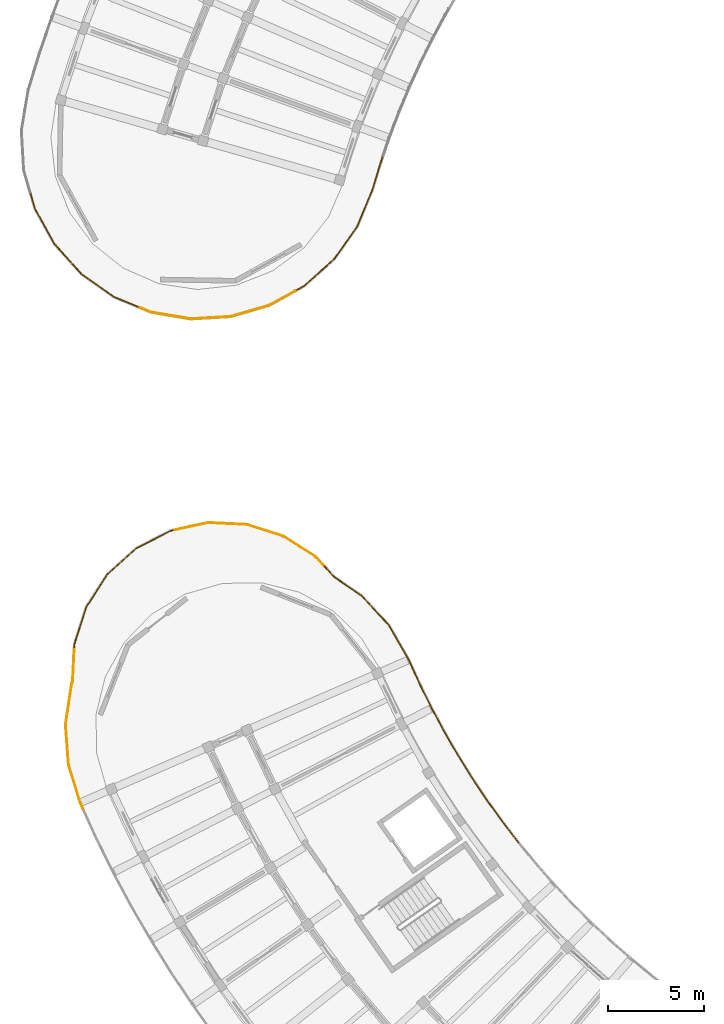
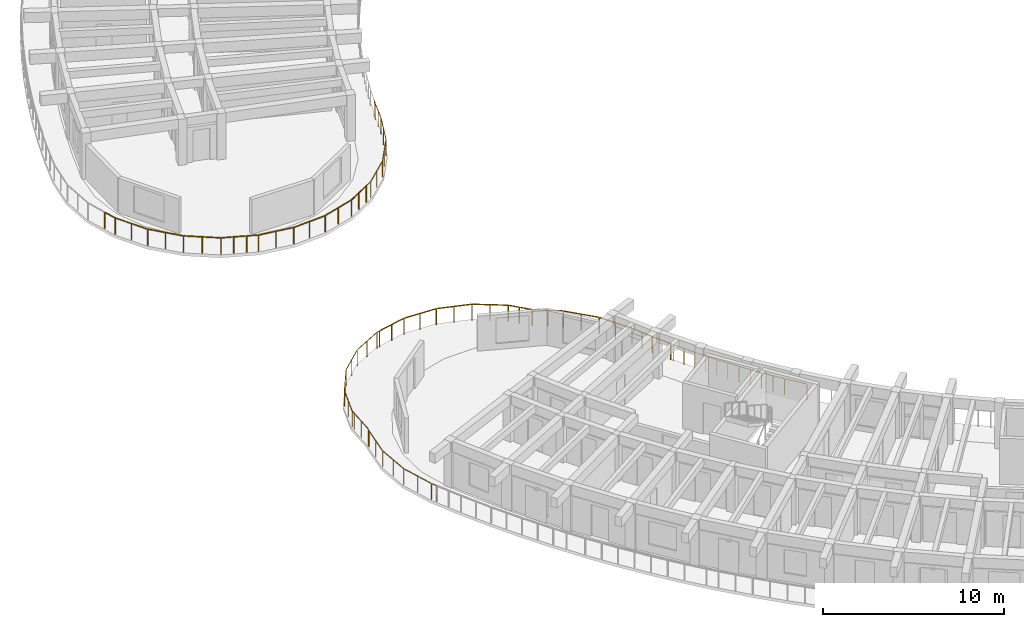
# One storey, part 45 of 56: 9 railings.
"""IFC4 building model written with IfcOpenShell, lengths in metres."""

from ifc_helpers import new_model, si_unit, direction, frame, origin, origin_2d, place, context, subcontext, project, spatial, circle, extrude, material, type_object, element, save


model = new_model("IFC4")

# Units and contexts
model_context = context("Model", 3, precision=1e-05, world=origin(), true_north=direction((0.0, 1.0)))
body_context = subcontext(model_context, "Body", "Model", "MODEL_VIEW")
ifc_project = project(units=[si_unit("LENGTHUNIT", "METRE"), si_unit("AREAUNIT", "SQUARE_METRE"), si_unit("VOLUMEUNIT", "CUBIC_METRE"), si_unit("PLANEANGLEUNIT", "RADIAN"), si_unit("MASSUNIT", "GRAM", prefix="KILO")], contexts=[model_context])

# Site, building, storey
site_placement = place(None, origin())
site = spatial("IfcSite", under=ifc_project, at=site_placement, CompositionType="ELEMENT")
building_placement = place(site_placement, origin())
building = spatial("IfcBuilding", under=site, at=building_placement, Name="Tanwirah Colonnade Gardens", CompositionType="ELEMENT")
storey_placement = place(building_placement, frame((0.0, 0.0, 29.0)))
storey = spatial("IfcBuildingStorey", under=building, at=storey_placement, Name="L08", CompositionType="ELEMENT", Elevation=29.0)

# Railings
ifc_material = material(Name="Precast concrete C40/50", Category="concrete")
railing_type_1 = type_object("IfcRailingType", Name="BAL-EXT110", PredefinedType="BALUSTRADE", material=ifc_material)
railing_1_placement = place(storey_placement, frame((21.987060546875, 51.787841796875, 0.0)))
element("IfcRailing", 1, at=railing_1_placement, inside=storey, type_object=railing_type_1, Name="Block C L08 Balcony Ribbon Balustrade 1", PredefinedType="BALUSTRADE", context=body_context, shape_type="SweptSolid", body=[
    extrude(circle(Radius=0.02392578125, at=origin_2d()), frame((0.02587890625, -0.017578125, 1.076171875), z_axis=(0.825478575894, -0.564433451117, 0.0), x_axis=(0.564433451117, 0.825478575894, 0.0)), (0.0, 0.0, 1.0), 1.64990234375),
    extrude(circle(Radius=0.02392578125, at=origin_2d()), frame((1.434814453125, -0.989501953125, 1.076171875), z_axis=(0.679261042241, -0.733896747843, 0.0), x_axis=(0.733896747843, 0.679261042241, 0.0)), (0.0, 0.0, 1.0), 2.024169921875),
    extrude(circle(Radius=0.02392578125, at=origin_2d()), frame((2.8466796875, -2.525146484375, 1.076171875), z_axis=(0.499001626878, -0.866601047988, 0.0), x_axis=(0.866601047988, 0.499001626878, 0.0)), (0.0, 0.0, 1.0), 2.029541015625),
    extrude(circle(Radius=0.02392578125, at=origin_2d()), frame((3.887939453125, -4.339599609375, 1.076171875), z_axis=(0.413604450522, -0.9104566758, 0.0), x_axis=(0.9104566758, 0.413604450522, 0.0)), (0.0, 0.0, 1.0), 1.32763671875),
    extrude(circle(Radius=0.02392578125, at=origin_2d()), frame((4.465087890625, -5.607177734375, 1.076171875), z_axis=(0.443192840087, -0.896426297303, 0.0), x_axis=(0.896426297303, 0.443192840087, 0.0)), (0.0, 0.0, 1.0), 1.1533203125),
    extrude(circle(Radius=0.02099609375, at=origin_2d()), origin(), (0.0, 0.0, 1.0), 1.049072265625),
    extrude(circle(Radius=0.02099609375, at=origin_2d()), frame((0.706787109375, -0.4833984375, 0.0)), (0.0, 0.0, 1.0), 1.049072265625),
    extrude(circle(Radius=0.02099609375, at=origin_2d()), frame((1.41357421875, -0.966552734375, 0.0)), (0.0, 0.0, 1.0), 1.049072265625),
    extrude(circle(Radius=0.02099609375, at=origin_2d()), frame((2.122314453125, -1.732421875, 0.0)), (0.0, 0.0, 1.0), 1.049072265625),
    extrude(circle(Radius=0.02099609375, at=origin_2d()), frame((2.8310546875, -2.498046875, 0.0)), (0.0, 0.0, 1.0), 1.049072265625),
    extrude(circle(Radius=0.02099609375, at=origin_2d()), frame((3.35302734375, -3.404541015625, 0.0)), (0.0, 0.0, 1.0), 1.049072265625),
    extrude(circle(Radius=0.02099609375, at=origin_2d()), frame((3.875, -4.31103515625, 0.0)), (0.0, 0.0, 1.0), 1.049072265625),
    extrude(circle(Radius=0.02099609375, at=origin_2d()), frame((4.16259765625, -4.94384765625, 0.0)), (0.0, 0.0, 1.0), 1.049072265625),
    extrude(circle(Radius=0.02099609375, at=origin_2d()), frame((4.449951171875, -5.57666015625, 0.0)), (0.0, 0.0, 1.0), 1.049072265625),
    extrude(circle(Radius=0.02099609375, at=origin_2d()), frame((4.989990234375, -6.6689453125, 0.0)), (0.0, 0.0, 1.0), 1.049072265625),
])
railing_2_placement = place(storey_placement, frame((26.97705078125, 45.118896484375, 0.0)))
element("IfcRailing", 2, at=railing_2_placement, inside=storey, type_object=railing_type_1, Name="Block C L08 Balcony Ribbon Balustrade 2", PredefinedType="BALUSTRADE", context=body_context, shape_type="SweptSolid", body=[
    extrude(circle(Radius=0.02392578125, at=origin_2d()), frame((0.013916015625, -0.028076171875, 1.076171875), z_axis=(0.443922260126, -0.896065302846, 0.0), x_axis=(0.896065302846, 0.443922260126, 0.0)), (0.0, 0.0, 1.0), 0.11572265625),
    extrude(circle(Radius=0.02392578125, at=origin_2d()), frame((0.094970703125, -0.189697265625, 1.076171875), z_axis=(0.472323466806, -0.881425290484, 0.0), x_axis=(0.881425290484, 0.472323466806, 0.0)), (0.0, 0.0, 1.0), 1.33154296875),
    extrude(circle(Radius=0.02392578125, at=origin_2d()), frame((0.755615234375, -1.420166015625, 1.076171875), z_axis=(0.501015561301, -0.865438274711, 0.0), x_axis=(0.865438274711, 0.501015561301, 0.0)), (0.0, 0.0, 1.0), 1.33154296875),
    extrude(circle(Radius=0.02392578125, at=origin_2d()), frame((1.456298828125, -2.62841796875, 1.076171875), z_axis=(0.529022666758, -0.848607693847, 0.0), x_axis=(0.848607693847, 0.529022666758, 0.0)), (0.0, 0.0, 1.0), 1.33154296875),
    extrude(circle(Radius=0.02392578125, at=origin_2d()), frame((2.19580078125, -3.81298828125, 1.076171875), z_axis=(0.55655786635, -0.830808847692, 0.0), x_axis=(0.830808847692, 0.55655786635, 0.0)), (0.0, 0.0, 1.0), 1.33154296875),
    extrude(circle(Radius=0.02392578125, at=origin_2d()), frame((2.97412109375, -4.972900390625, 1.076171875), z_axis=(0.58342309678, -0.812168387802, 0.0), x_axis=(0.812168387802, 0.58342309678, 0.0)), (0.0, 0.0, 1.0), 1.331298828125),
    extrude(circle(Radius=0.02392578125, at=origin_2d()), frame((3.78955078125, -6.1064453125, 1.076171875), z_axis=(0.609693095997, -0.79263757714, 0.0), x_axis=(0.79263757714, 0.609693095997, 0.0)), (0.0, 0.0, 1.0), 1.2734375),
    extrude(circle(Radius=0.02099609375, at=origin_2d()), origin(), (0.0, 0.0, 1.0), 1.049072265625),
    extrude(circle(Radius=0.02099609375, at=origin_2d()), frame((0.0791015625, -0.15966796875, 0.0)), (0.0, 0.0, 1.0), 1.049072265625),
    extrude(circle(Radius=0.02099609375, at=origin_2d()), frame((0.40966796875, -0.7763671875, 0.0)), (0.0, 0.0, 1.0), 1.049072265625),
    extrude(circle(Radius=0.02099609375, at=origin_2d()), frame((0.73876953125, -1.390869140625, 0.0)), (0.0, 0.0, 1.0), 1.049072265625),
    extrude(circle(Radius=0.02099609375, at=origin_2d()), frame((1.08935546875, -1.996337890625, 0.0)), (0.0, 0.0, 1.0), 1.049072265625),
    extrude(circle(Radius=0.02099609375, at=origin_2d()), frame((1.4384765625, -2.599609375, 0.0)), (0.0, 0.0, 1.0), 1.049072265625),
    extrude(circle(Radius=0.02099609375, at=origin_2d()), frame((1.80859375, -3.193359375, 0.0)), (0.0, 0.0, 1.0), 1.049072265625),
    extrude(circle(Radius=0.02099609375, at=origin_2d()), frame((2.17724609375, -3.784912109375, 0.0)), (0.0, 0.0, 1.0), 1.049072265625),
    extrude(circle(Radius=0.02099609375, at=origin_2d()), frame((2.56640625, -4.3662109375, 0.0)), (0.0, 0.0, 1.0), 1.049072265625),
    extrude(circle(Radius=0.02099609375, at=origin_2d()), frame((2.954345703125, -4.9453125, 0.0)), (0.0, 0.0, 1.0), 1.049072265625),
    extrude(circle(Radius=0.02099609375, at=origin_2d()), frame((3.3623046875, -5.513671875, 0.0)), (0.0, 0.0, 1.0), 1.049072265625),
    extrude(circle(Radius=0.02099609375, at=origin_2d()), frame((3.76904296875, -6.07958984375, 0.0)), (0.0, 0.0, 1.0), 1.049072265625),
    extrude(circle(Radius=0.02099609375, at=origin_2d()), frame((4.5849609375, -7.140625, 0.0)), (0.0, 0.0, 1.0), 1.049072265625),
])
railing_3_placement = place(storey_placement, frame((8.91259765625, 39.725830078125, 0.0)))
element("IfcRailing", 3, at=railing_3_placement, inside=storey, type_object=railing_type_1, Name="Block C L08 Balcony Ribbon Balustrade 15", PredefinedType="BALUSTRADE", context=body_context, shape_type="SweptSolid", body=[
    extrude(circle(Radius=0.02392578125, at=origin_2d()), frame((-0.012939453125, 0.028564453125, 1.076171875), z_axis=(-0.413488240554, 0.910509458997, 0.0), x_axis=(-0.910509458997, -0.413488240554, 0.0)), (0.0, 0.0, 1.0), 0.2880859375),
    extrude(circle(Radius=0.02392578125, at=origin_2d()), frame((-0.154296875, 0.34912109375, 1.076171875), z_axis=(-0.293544269922, 0.955945480452, 0.0), x_axis=(-0.955945480452, -0.293544269922, 0.0)), (0.0, 0.0, 1.0), 2.0283203125),
    extrude(circle(Radius=0.02392578125, at=origin_2d()), frame((-0.760986328125, 2.349365234375, 1.076171875), z_axis=(-0.073591558484, 0.997288465049, 0.0), x_axis=(-0.997288465049, -0.073591558484, 0.0)), (0.0, 0.0, 1.0), 2.024169921875),
    extrude(circle(Radius=0.02392578125, at=origin_2d()), frame((-0.90771484375, 4.43017578125, 1.076171875), z_axis=(0.150325173469, 0.988636607769, 0.0), x_axis=(-0.988636607769, 0.150325173469, 0.0)), (0.0, 0.0, 1.0), 2.0244140625),
    extrude(circle(Radius=0.02392578125, at=origin_2d()), frame((-0.587158203125, 6.491455078125, 1.076171875), z_axis=(0.366668073406, 0.930351828044, 0.0), x_axis=(-0.930351828044, 0.366668073406, 0.0)), (0.0, 0.0, 1.0), 0.0712890625),
    extrude(circle(Radius=0.02392578125, at=origin_2d()), frame((-0.542724609375, 6.6435546875, 1.076171875), z_axis=(0.047982080016, 0.998848196673, 0.0), x_axis=(-0.998848196673, 0.047982080016, 0.0)), (0.0, 0.0, 1.0), 1.662353515625),
    extrude(circle(Radius=0.02099609375, at=origin_2d()), origin(), (0.0, 0.0, 1.0), 1.049072265625),
    extrude(circle(Radius=0.02099609375, at=origin_2d()), frame((-0.14501953125, 0.3193359375, 0.0)), (0.0, 0.0, 1.0), 1.049072265625),
    extrude(circle(Radius=0.02099609375, at=origin_2d()), frame((-0.451904296875, 1.31884765625, 0.0)), (0.0, 0.0, 1.0), 1.049072265625),
    extrude(circle(Radius=0.02099609375, at=origin_2d()), frame((-0.7587890625, 2.318115234375, 0.0)), (0.0, 0.0, 1.0), 1.049072265625),
    extrude(circle(Radius=0.02099609375, at=origin_2d()), frame((-0.83544921875, 3.358642578125, 0.0)), (0.0, 0.0, 1.0), 1.049072265625),
    extrude(circle(Radius=0.02099609375, at=origin_2d()), frame((-0.912353515625, 4.399169921875, 0.0)), (0.0, 0.0, 1.0), 1.049072265625),
    extrude(circle(Radius=0.02099609375, at=origin_2d()), frame((-0.75537109375, 5.4306640625, 0.0)), (0.0, 0.0, 1.0), 1.049072265625),
    extrude(circle(Radius=0.02099609375, at=origin_2d()), frame((-0.5986328125, 6.46240234375, 0.0)), (0.0, 0.0, 1.0), 1.049072265625),
    extrude(circle(Radius=0.02099609375, at=origin_2d()), frame((-0.549560546875, 6.5869140625, 0.0)), (0.0, 0.0, 1.0), 1.049072265625),
    extrude(circle(Radius=0.02099609375, at=origin_2d()), frame((-0.5029296875, 7.4736328125, 0.0)), (0.0, 0.0, 1.0), 1.049072265625),
    extrude(circle(Radius=0.02099609375, at=origin_2d()), frame((-0.46142578125, 8.335205078125, 0.0)), (0.0, 0.0, 1.0), 1.049072265625),
])
railing_4_placement = place(storey_placement, frame((8.451171875, 48.06103515625, 0.0)))
element("IfcRailing", 4, at=railing_4_placement, inside=storey, type_object=railing_type_1, Name="Block C L08 Balcony Ribbon Balustrade 16", PredefinedType="BALUSTRADE", context=body_context, shape_type="SweptSolid", body=[
    extrude(circle(Radius=0.02392578125, at=origin_2d()), frame((0.00146484375, 0.03125, 1.076171875), z_axis=(0.047565149415, 0.998868137724, 0.0), x_axis=(-0.998868137724, 0.047565149415, 0.0)), (0.0, 0.0, 1.0), 0.1787109375),
    extrude(circle(Radius=0.02392578125, at=origin_2d()), frame((0.02099609375, 0.270751953125, 1.076171875), z_axis=(0.30493837165, 0.952372085634, 0.0), x_axis=(-0.952372085634, 0.30493837165, 0.0)), (0.0, 0.0, 1.0), 1.95263671875),
    extrude(circle(Radius=0.02392578125, at=origin_2d()), frame((0.642822265625, 2.1865234375, 1.076171875), z_axis=(0.540953522792, 0.841052487172, 0.0), x_axis=(-0.841052487172, 0.540953522792, 0.0)), (0.0, 0.0, 1.0), 1.95263671875),
    extrude(circle(Radius=0.02392578125, at=origin_2d()), frame((1.7392578125, 3.8759765625, 1.076171875), z_axis=(0.740214102403, 0.67237123868, 0.0), x_axis=(-0.67237123868, 0.740214102403, 0.0)), (0.0, 0.0, 1.0), 1.95263671875),
    extrude(circle(Radius=0.02392578125, at=origin_2d()), frame((3.235595703125, 5.224365234375, 1.076171875), z_axis=(0.889032840615, 0.457843432091, 0.0), x_axis=(-0.457843432091, 0.889032840615, 0.0)), (0.0, 0.0, 1.0), 1.95263671875),
    extrude(circle(Radius=0.02392578125, at=origin_2d()), frame((5.02978515625, 6.13916015625, 1.076171875), z_axis=(0.977276358397, 0.211969147092, 0.0), x_axis=(-0.211969147092, 0.977276358397, 0.0)), (0.0, 0.0, 1.0), 0.135498046875),
    extrude(circle(Radius=0.02099609375, at=origin_2d()), origin(), (0.0, 0.0, 1.0), 1.049072265625),
    extrude(circle(Radius=0.02099609375, at=origin_2d()), frame((0.011474609375, 0.240966796875, 0.0)), (0.0, 0.0, 1.0), 1.049072265625),
    extrude(circle(Radius=0.02099609375, at=origin_2d()), frame((0.31884765625, 1.20068359375, 0.0)), (0.0, 0.0, 1.0), 1.049072265625),
    extrude(circle(Radius=0.02099609375, at=origin_2d()), frame((0.6259765625, 2.16015625, 0.0)), (0.0, 0.0, 1.0), 1.049072265625),
    extrude(circle(Radius=0.02099609375, at=origin_2d()), frame((1.1708984375, 3.007568359375, 0.0)), (0.0, 0.0, 1.0), 1.049072265625),
    extrude(circle(Radius=0.02099609375, at=origin_2d()), frame((1.716064453125, 3.85498046875, 0.0)), (0.0, 0.0, 1.0), 1.049072265625),
    extrude(circle(Radius=0.02099609375, at=origin_2d()), frame((2.4619140625, 4.532470703125, 0.0)), (0.0, 0.0, 1.0), 1.049072265625),
    extrude(circle(Radius=0.02099609375, at=origin_2d()), frame((3.207763671875, 5.2099609375, 0.0)), (0.0, 0.0, 1.0), 1.049072265625),
    extrude(circle(Radius=0.02099609375, at=origin_2d()), frame((4.103515625, 5.67138671875, 0.0)), (0.0, 0.0, 1.0), 1.049072265625),
    extrude(circle(Radius=0.02099609375, at=origin_2d()), frame((4.999267578125, 6.132568359375, 0.0)), (0.0, 0.0, 1.0), 1.049072265625),
    extrude(circle(Radius=0.02099609375, at=origin_2d()), frame((5.19287109375, 6.174560546875, 0.0)), (0.0, 0.0, 1.0), 1.049072265625),
])
railing_5_placement = place(storey_placement, frame((13.64404296875, 54.235595703125, 0.0)))
element("IfcRailing", 5, at=railing_5_placement, inside=storey, type_object=railing_type_1, Name="Block C L08 Balcony Ribbon Balustrade 17", PredefinedType="BALUSTRADE", context=body_context, shape_type="SweptSolid", body=[
    extrude(circle(Radius=0.02392578125, at=origin_2d()), frame((0.030517578125, 0.006591796875, 1.076171875), z_axis=(0.977234535777, 0.212161877078, 0.0), x_axis=(-0.212161877078, 0.977234535777, 0.0)), (0.0, 0.0, 1.0), 1.75439453125),
    extrude(circle(Radius=0.02392578125, at=origin_2d()), frame((1.806884765625, 0.384033203125, 1.076171875), z_axis=(0.99884831516, -0.047979613392, 0.0), x_axis=(0.047979613392, 0.99884831516, 0.0)), (0.0, 0.0, 1.0), 1.952392578125),
    extrude(circle(Radius=0.02392578125, at=origin_2d()), frame((3.818115234375, 0.279296875, 1.076171875), z_axis=(0.952407264787, -0.304828479609, 0.0), x_axis=(0.304828479609, 0.952407264787, 0.0)), (0.0, 0.0, 1.0), 1.95263671875),
    extrude(circle(Radius=0.02392578125, at=origin_2d()), frame((5.73388671875, -0.34228515625, 1.076171875), z_axis=(0.841052487172, -0.540953522792, 0.0), x_axis=(0.540953522792, 0.841052487172, 0.0)), (0.0, 0.0, 1.0), 1.95263671875),
    extrude(circle(Radius=0.02392578125, at=origin_2d()), frame((7.42333984375, -1.438720703125, 1.076171875), z_axis=(0.672215371453, -0.740355653981, 0.0), x_axis=(0.740355653981, 0.672215371453, 0.0)), (0.0, 0.0, 1.0), 0.5751953125),
    extrude(circle(Radius=0.02099609375, at=origin_2d()), origin(), (0.0, 0.0, 1.0), 1.049072265625),
    extrude(circle(Radius=0.02099609375, at=origin_2d()), frame((0.8876953125, 0.19287109375, 0.0)), (0.0, 0.0, 1.0), 1.049072265625),
    extrude(circle(Radius=0.02099609375, at=origin_2d()), frame((1.775634765625, 0.385498046875, 0.0)), (0.0, 0.0, 1.0), 1.049072265625),
    extrude(circle(Radius=0.02099609375, at=origin_2d()), frame((2.781982421875, 0.337158203125, 0.0)), (0.0, 0.0, 1.0), 1.049072265625),
    extrude(circle(Radius=0.02099609375, at=origin_2d()), frame((3.788330078125, 0.288818359375, 0.0)), (0.0, 0.0, 1.0), 1.049072265625),
    extrude(circle(Radius=0.02099609375, at=origin_2d()), frame((4.748046875, -0.018310546875, 0.0)), (0.0, 0.0, 1.0), 1.049072265625),
    extrude(circle(Radius=0.02099609375, at=origin_2d()), frame((5.70751953125, -0.325439453125, 0.0)), (0.0, 0.0, 1.0), 1.049072265625),
    extrude(circle(Radius=0.02099609375, at=origin_2d()), frame((6.554931640625, -0.87060546875, 0.0)), (0.0, 0.0, 1.0), 1.049072265625),
    extrude(circle(Radius=0.02099609375, at=origin_2d()), frame((7.40234375, -1.41552734375, 0.0)), (0.0, 0.0, 1.0), 1.049072265625),
    extrude(circle(Radius=0.02099609375, at=origin_2d()), frame((7.8310546875, -1.8876953125, 0.0)), (0.0, 0.0, 1.0), 1.049072265625),
])
railing_6_placement = place(storey_placement, frame((21.47509765625, 52.347900390625, 0.0)))
element("IfcRailing", 6, at=railing_6_placement, inside=storey, type_object=railing_type_1, Name="Block C L08 Balcony Ribbon Balustrade 18", PredefinedType="BALUSTRADE", context=body_context, shape_type="SweptSolid", body=[
    extrude(circle(Radius=0.02392578125, at=origin_2d()), frame((0.02099609375, -0.023193359375, 1.076171875), z_axis=(0.67249219668, -0.74010421253, 0.0), x_axis=(0.74010421253, 0.67249219668, 0.0)), (0.0, 0.0, 1.0), 0.677734375),
    extrude(circle(Radius=0.02099609375, at=origin_2d()), origin(), (0.0, 0.0, 1.0), 1.049072265625),
    extrude(circle(Radius=0.02099609375, at=origin_2d()), frame((0.497802734375, -0.5478515625, 0.0)), (0.0, 0.0, 1.0), 1.049072265625),
])
railing_type_2 = type_object("IfcRailingType", Name="BAL-EXT112", PredefinedType="BALUSTRADE", material=ifc_material)
railing_7_placement = place(storey_placement, frame((24.490234375, 73.623779296875, 0.0)))
element("IfcRailing", 7, at=railing_7_placement, inside=storey, type_object=railing_type_2, Name="Block A L08 Balcony Ribbon Balustrade 7", PredefinedType="BALUSTRADE", context=body_context, shape_type="SweptSolid", body=[
    extrude(circle(Radius=0.02392578125, at=origin_2d()), frame((-0.010009765625, -0.029541015625, 1.09619140625), z_axis=(-0.322432998428, -0.946592288963, 0.0), x_axis=(0.946592288963, -0.322432998428, 0.0)), (0.0, 0.0, 1.0), 0.267578125),
    extrude(circle(Radius=0.02392578125, at=origin_2d()), frame((-0.1162109375, -0.3447265625, 1.09619140625), z_axis=(-0.29148764702, -0.956574592823, 0.0), x_axis=(0.956574592823, -0.29148764702, 0.0)), (0.0, 0.0, 1.0), 1.337890625),
    extrude(circle(Radius=0.02392578125, at=origin_2d()), frame((-0.52734375, -1.683349609375, 1.09619140625), z_axis=(-0.381489237895, -0.92437328032, 0.0), x_axis=(0.92437328032, -0.381489237895, 0.0)), (0.0, 0.0, 1.0), 2.029541015625),
    extrude(circle(Radius=0.02392578125, at=origin_2d()), frame((-1.33154296875, -3.614013671875, 1.09619140625), z_axis=(-0.577647272924, -0.816286486525, 0.0), x_axis=(0.816286486525, -0.577647272924, 0.0)), (0.0, 0.0, 1.0), 2.0244140625),
    extrude(circle(Radius=0.02392578125, at=origin_2d()), frame((-2.542236328125, -5.312744140625, 1.09619140625), z_axis=(-0.744822012119, -0.667263194146, 0.0), x_axis=(0.667263194146, -0.744822012119, 0.0)), (0.0, 0.0, 1.0), 2.0244140625),
    extrude(circle(Radius=0.02392578125, at=origin_2d()), frame((-4.100830078125, -6.69970703125, 1.09619140625), z_axis=(-0.874616555828, -0.48481530532, 0.0), x_axis=(0.48481530532, -0.874616555828, 0.0)), (0.0, 0.0, 1.0), 0.4384765625),
    extrude(circle(Radius=0.02099609375, at=origin_2d()), origin(), (0.0, 0.0, 1.0), 1.069091796875),
    extrude(circle(Radius=0.02099609375, at=origin_2d()), frame((-0.1064453125, -0.3125, 0.0)), (0.0, 0.0, 1.0), 1.069091796875),
    extrude(circle(Radius=0.02099609375, at=origin_2d()), frame((-0.311279296875, -0.98486328125, 0.0)), (0.0, 0.0, 1.0), 1.069091796875),
    extrude(circle(Radius=0.02099609375, at=origin_2d()), frame((-0.515380859375, -1.654541015625, 0.0)), (0.0, 0.0, 1.0), 1.069091796875),
    extrude(circle(Radius=0.02099609375, at=origin_2d()), frame((-0.91455078125, -2.62158203125, 0.0)), (0.0, 0.0, 1.0), 1.069091796875),
    extrude(circle(Radius=0.02099609375, at=origin_2d()), frame((-1.3134765625, -3.58837890625, 0.0)), (0.0, 0.0, 1.0), 1.069091796875),
    extrude(circle(Radius=0.02099609375, at=origin_2d()), frame((-1.916259765625, -4.440185546875, 0.0)), (0.0, 0.0, 1.0), 1.069091796875),
    extrude(circle(Radius=0.02099609375, at=origin_2d()), frame((-2.51904296875, -5.2919921875, 0.0)), (0.0, 0.0, 1.0), 1.069091796875),
    extrude(circle(Radius=0.02099609375, at=origin_2d()), frame((-3.29638671875, -5.98828125, 0.0)), (0.0, 0.0, 1.0), 1.069091796875),
    extrude(circle(Radius=0.02099609375, at=origin_2d()), frame((-4.073486328125, -6.6845703125, 0.0)), (0.0, 0.0, 1.0), 1.069091796875),
    extrude(circle(Radius=0.02099609375, at=origin_2d()), frame((-4.51171875, -6.927490234375, 0.0)), (0.0, 0.0, 1.0), 1.069091796875),
])
railing_8_placement = place(storey_placement, frame((19.978515625, 66.6962890625, 0.0)))
element("IfcRailing", 8, at=railing_8_placement, inside=storey, type_object=railing_type_2, Name="Block A L08 Balcony Ribbon Balustrade 8", PredefinedType="BALUSTRADE", context=body_context, shape_type="SweptSolid", body=[
    extrude(circle(Radius=0.02392578125, at=origin_2d()), frame((-0.02734375, -0.01513671875, 1.09619140625), z_axis=(-0.874621647365, -0.48480611997, 0.0), x_axis=(0.48480611997, -0.874621647365, 0.0)), (0.0, 0.0, 1.0), 1.523193359375),
    extrude(circle(Radius=0.02392578125, at=origin_2d()), frame((-1.4169921875, -0.777587890625, 1.09619140625), z_axis=(-0.960560153031, -0.278072279108, 0.0), x_axis=(0.278072279108, -0.960560153031, 0.0)), (0.0, 0.0, 1.0), 2.0244140625),
    extrude(circle(Radius=0.02392578125, at=origin_2d()), frame((-3.4228515625, -1.350830078125, 1.09619140625), z_axis=(-0.998362374442, -0.057206374631, 0.0), x_axis=(0.057206374631, -0.998362374442, 0.0)), (0.0, 0.0, 1.0), 2.0244140625),
    extrude(circle(Radius=0.02392578125, at=origin_2d()), frame((-5.505859375, -1.46337890625, 1.09619140625), z_axis=(-0.986085511051, 0.166238879013, 0.0), x_axis=(-0.166238879013, -0.986085511051, 0.0)), (0.0, 0.0, 1.0), 2.0244140625),
    extrude(circle(Radius=0.02392578125, at=origin_2d()), frame((-7.561767578125, -1.109619140625, 1.09619140625), z_axis=(-0.924376024919, 0.381482587487, 0.0), x_axis=(-0.381482587487, -0.924376024919, 0.0)), (0.0, 0.0, 1.0), 0.5908203125),
    extrude(circle(Radius=0.02099609375, at=origin_2d()), origin(), (0.0, 0.0, 1.0), 1.069091796875),
    extrude(circle(Radius=0.02099609375, at=origin_2d()), frame((-0.693359375, -0.38427734375, 0.0)), (0.0, 0.0, 1.0), 1.069091796875),
    extrude(circle(Radius=0.02099609375, at=origin_2d()), frame((-1.386962890625, -0.768798828125, 0.0)), (0.0, 0.0, 1.0), 1.069091796875),
    extrude(circle(Radius=0.02099609375, at=origin_2d()), frame((-2.38916015625, -1.05908203125, 0.0)), (0.0, 0.0, 1.0), 1.069091796875),
    extrude(circle(Radius=0.02099609375, at=origin_2d()), frame((-3.3916015625, -1.34912109375, 0.0)), (0.0, 0.0, 1.0), 1.069091796875),
    extrude(circle(Radius=0.02099609375, at=origin_2d()), frame((-4.433349609375, -1.40869140625, 0.0)), (0.0, 0.0, 1.0), 1.069091796875),
    extrude(circle(Radius=0.02099609375, at=origin_2d()), frame((-5.47509765625, -1.468505859375, 0.0)), (0.0, 0.0, 1.0), 1.069091796875),
    extrude(circle(Radius=0.02099609375, at=origin_2d()), frame((-6.50390625, -1.294921875, 0.0)), (0.0, 0.0, 1.0), 1.069091796875),
    extrude(circle(Radius=0.02099609375, at=origin_2d()), frame((-7.532958984375, -1.12158203125, 0.0)), (0.0, 0.0, 1.0), 1.069091796875),
    extrude(circle(Radius=0.02099609375, at=origin_2d()), frame((-8.136962890625, -0.872314453125, 0.0)), (0.0, 0.0, 1.0), 1.069091796875),
])
railing_9_placement = place(storey_placement, frame((11.841552734375, 65.823974609375, 0.0)))
element("IfcRailing", 9, at=railing_9_placement, inside=storey, type_object=railing_type_2, Name="Block A L08 Balcony Ribbon Balustrade 9", PredefinedType="BALUSTRADE", context=body_context, shape_type="SweptSolid", body=[
    extrude(circle(Radius=0.02392578125, at=origin_2d()), frame((-0.02880859375, 0.011962890625, 1.09619140625), z_axis=(-0.924356771704, 0.381529236893, 0.0), x_axis=(-0.381529236893, -0.924356771704, 0.0)), (0.0, 0.0, 1.0), 1.370849609375),
    extrude(circle(Radius=0.02392578125, at=origin_2d()), frame((-1.3505859375, 0.56494140625, 1.09619140625), z_axis=(-0.816286486525, 0.577647272924, 0.0), x_axis=(-0.577647272924, -0.816286486525, 0.0)), (0.0, 0.0, 1.0), 2.0244140625),
    extrude(circle(Radius=0.02392578125, at=origin_2d()), frame((-3.04931640625, 1.775634765625, 1.09619140625), z_axis=(-0.667263194146, 0.744822012119, 0.0), x_axis=(-0.744822012119, -0.667263194146, 0.0)), (0.0, 0.0, 1.0), 2.0244140625),
    extrude(circle(Radius=0.02392578125, at=origin_2d()), frame((-4.436279296875, 3.334228515625, 1.09619140625), z_axis=(-0.484808325403, 0.874620424882, 0.0), x_axis=(-0.874620424882, -0.484808325403, 0.0)), (0.0, 0.0, 1.0), 2.0244140625),
    extrude(circle(Radius=0.02392578125, at=origin_2d()), frame((-5.441650390625, 5.162109375, 1.09619140625), z_axis=(-0.277881479948, 0.960615366888, 0.0), x_axis=(-0.960615366888, -0.277881479948, 0.0)), (0.0, 0.0, 1.0), 0.7431640625),
    extrude(circle(Radius=0.02099609375, at=origin_2d()), origin(), (0.0, 0.0, 1.0), 1.069091796875),
    extrude(circle(Radius=0.02099609375, at=origin_2d()), frame((-0.66259765625, 0.2734375, 0.0)), (0.0, 0.0, 1.0), 1.069091796875),
    extrude(circle(Radius=0.02099609375, at=origin_2d()), frame((-1.324951171875, 0.546875, 0.0)), (0.0, 0.0, 1.0), 1.069091796875),
    extrude(circle(Radius=0.02099609375, at=origin_2d()), frame((-2.1767578125, 1.149658203125, 0.0)), (0.0, 0.0, 1.0), 1.069091796875),
    extrude(circle(Radius=0.02099609375, at=origin_2d()), frame((-3.028564453125, 1.75244140625, 0.0)), (0.0, 0.0, 1.0), 1.069091796875),
    extrude(circle(Radius=0.02099609375, at=origin_2d()), frame((-3.724853515625, 2.52978515625, 0.0)), (0.0, 0.0, 1.0), 1.069091796875),
    extrude(circle(Radius=0.02099609375, at=origin_2d()), frame((-4.421142578125, 3.306884765625, 0.0)), (0.0, 0.0, 1.0), 1.069091796875),
    extrude(circle(Radius=0.02099609375, at=origin_2d()), frame((-4.927001953125, 4.219482421875, 0.0)), (0.0, 0.0, 1.0), 1.069091796875),
    extrude(circle(Radius=0.02099609375, at=origin_2d()), frame((-5.432861328125, 5.132080078125, 0.0)), (0.0, 0.0, 1.0), 1.069091796875),
    extrude(circle(Radius=0.02099609375, at=origin_2d()), frame((-5.65673828125, 5.906005859375, 0.0)), (0.0, 0.0, 1.0), 1.069091796875),
])

save(model, "model.ifc")
